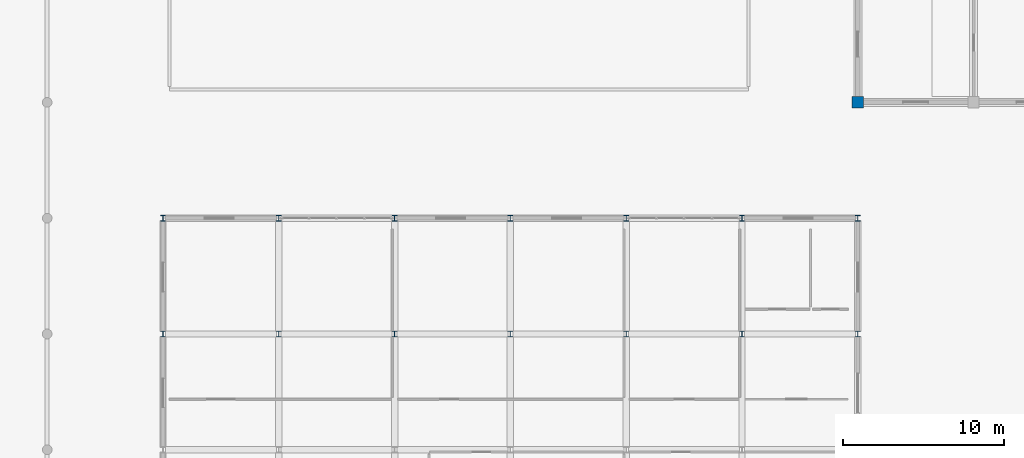
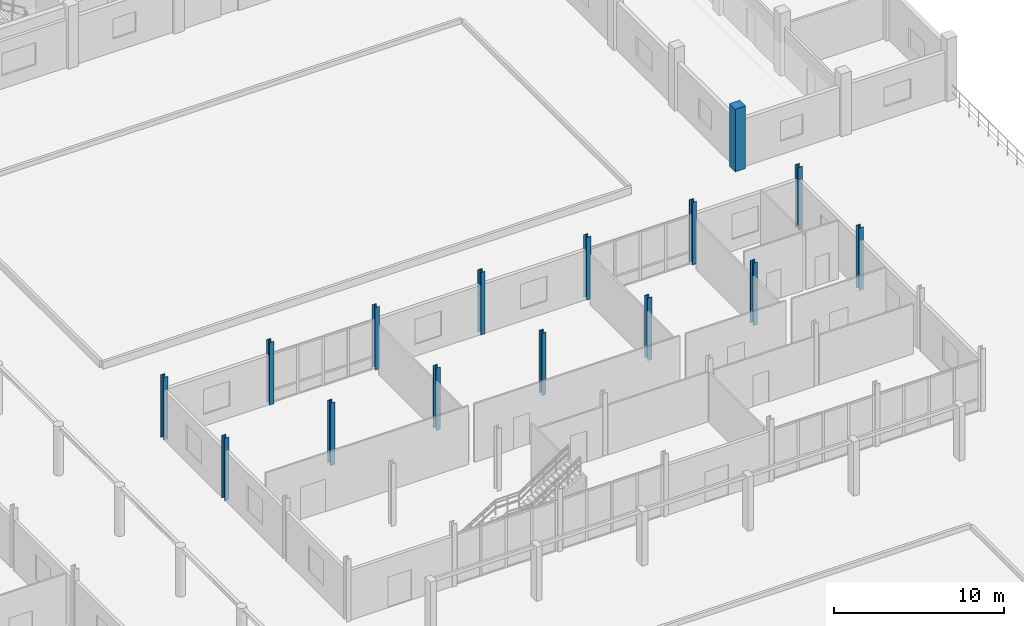
# One storey, part 17 of 139: 15 columns.
"""IFC4 building model written with IfcOpenShell, lengths in metres."""

from ifc_helpers import new_model, si_unit, direction, frame, origin, origin_2d, place, context, subcontext, project, spatial, rectangle, i_section, extrude, material, material_profile, profile_set, type_object, element, save


model = new_model("IFC4")

# Units and contexts
model_context = context("Model", 3, precision=1e-05, world=origin(), true_north=direction((0.0, 1.0)))
body_context = subcontext(model_context, "Body", "Model", "MODEL_VIEW")
ifc_project = project(units=[si_unit("LENGTHUNIT", "METRE"), si_unit("AREAUNIT", "SQUARE_METRE"), si_unit("VOLUMEUNIT", "CUBIC_METRE"), si_unit("PLANEANGLEUNIT", "RADIAN"), si_unit("MASSUNIT", "GRAM", prefix="KILO")], contexts=[model_context])

# Site, building, storey
site_placement = place(None, origin())
site = spatial("IfcSite", under=ifc_project, at=site_placement, CompositionType="ELEMENT")
building_placement = place(site_placement, origin())
building = spatial("IfcBuilding", under=site, at=building_placement, Name="Suanplinth Sawtooth Commons", CompositionType="ELEMENT")
storey_placement = place(building_placement, origin())
storey = spatial("IfcBuildingStorey", under=building, at=storey_placement, Name="L00", CompositionType="ELEMENT", Elevation=0.0)

# Columns
ifc_material_1 = material(Name="Concrete C40/50", Category="concrete")
ifc_material_profile_1 = material_profile(ifc_material_1, rectangle(XDim=0.699951171875, YDim=0.699951171875, at=origin_2d()), Name="RC-COL 700x700")
ifc_profile_set_1 = profile_set([ifc_material_profile_1], Name="Concrete C40/50")
column_type_1 = type_object("IfcColumnType", Name="C-02", PredefinedType="COLUMN", material=ifc_profile_set_1)
column_placement = place(storey_placement, frame((172.800048828125, 79.199951171875, 0.0), z_axis=(0.0, 0.0, 1.0), x_axis=(1.0, 0.0, 0.0)))
element("IfcColumn", 1, at=column_placement, inside=storey, type_object=column_type_1, Name="Column L00 25/M", PredefinedType="COLUMN", context=body_context, shape_type="SweptSolid", body=[
    extrude(rectangle(XDim=0.699951171875, YDim=0.699951171875, at=origin_2d()), origin(), (0.0, 0.0, 1.0), 4.5),
])
ifc_material_2 = material(Name="Steel S355JR", Category="steel")
ifc_material_profile_2 = material_profile(ifc_material_2, i_section(OverallWidth=0.300048828125, OverallDepth=0.360107421875, WebThickness=0.012451171875, FlangeThickness=0.0224609375, at=origin_2d()), Name="HEB 360")
ifc_profile_set_2 = profile_set([ifc_material_profile_2], Name="Steel S355JR")
column_type_2 = type_object("IfcColumnType", Name="C-10", PredefinedType="COLUMN", material=ifc_profile_set_2)
for number, where, z_axis, x_axis, name in (
    (2, (129.60009765625, 64.800048828125, 0.0), (0.0, 0.0, 1.0), (1.0, 0.0, 0.0), "Column L00 19/K"),
    (3, (129.60009765625, 72.0, 0.0), (0.0, 0.0, 1.0), (1.0, 0.0, 0.0), "Column L00 19/L"),
    (4, (136.800048828125, 64.800048828125, 0.0), (0.0, 0.0, 1.0), (1.0, 0.0, 0.0), "Column L00 20/K"),
    (5, (136.800048828125, 72.0, 0.0), (0.0, 0.0, 1.0), (1.0, 0.0, 0.0), "Column L00 20/L"),
    (6, (144.0, 64.800048828125, 0.0), (0.0, 0.0, 1.0), (1.0, 0.0, 0.0), "Column L00 21/K"),
    (7, (144.0, 72.0, 0.0), (0.0, 0.0, 1.0), (1.0, 0.0, 0.0), "Column L00 21/L"),
    (8, (151.199951171875, 64.800048828125, 0.0), (0.0, 0.0, 1.0), (1.0, 0.0, 0.0), "Column L00 22/K"),
    (9, (151.199951171875, 72.0, 0.0), (0.0, 0.0, 1.0), (1.0, 0.0, 0.0), "Column L00 22/L"),
    (10, (158.39990234375, 64.800048828125, 0.0), (0.0, 0.0, 1.0), (1.0, 0.0, 0.0), "Column L00 23/K"),
    (11, (158.39990234375, 72.0, 0.0), (0.0, 0.0, 1.0), (1.0, 0.0, 0.0), "Column L00 23/L"),
    (12, (165.60009765625, 64.800048828125, 0.0), (0.0, 0.0, 1.0), (1.0, 0.0, 0.0), "Column L00 24/K"),
    (13, (165.60009765625, 72.0, 0.0), (0.0, 0.0, 1.0), (1.0, 0.0, 0.0), "Column L00 24/L"),
    (14, (172.800048828125, 64.800048828125, 0.0), (0.0, 0.0, 1.0), (1.0, 0.0, 0.0), "Column L00 25/K"),
    (15, (172.800048828125, 72.0, 0.0), (0.0, 0.0, 1.0), (1.0, 0.0, 0.0), "Column L00 25/L"),
):
    element("IfcColumn", number, at=place(storey_placement, frame(where, z_axis=z_axis, x_axis=x_axis)), inside=storey, type_object=column_type_2, Name=name, PredefinedType="COLUMN", context=body_context, shape_type="SweptSolid", body=[
        extrude(i_section(OverallWidth=0.300048828125, OverallDepth=0.360107421875, WebThickness=0.012451171875, FlangeThickness=0.0224609375, at=origin_2d()), origin(), (0.0, 0.0, 1.0), 4.5),
    ])

save(model, "model.ifc")
